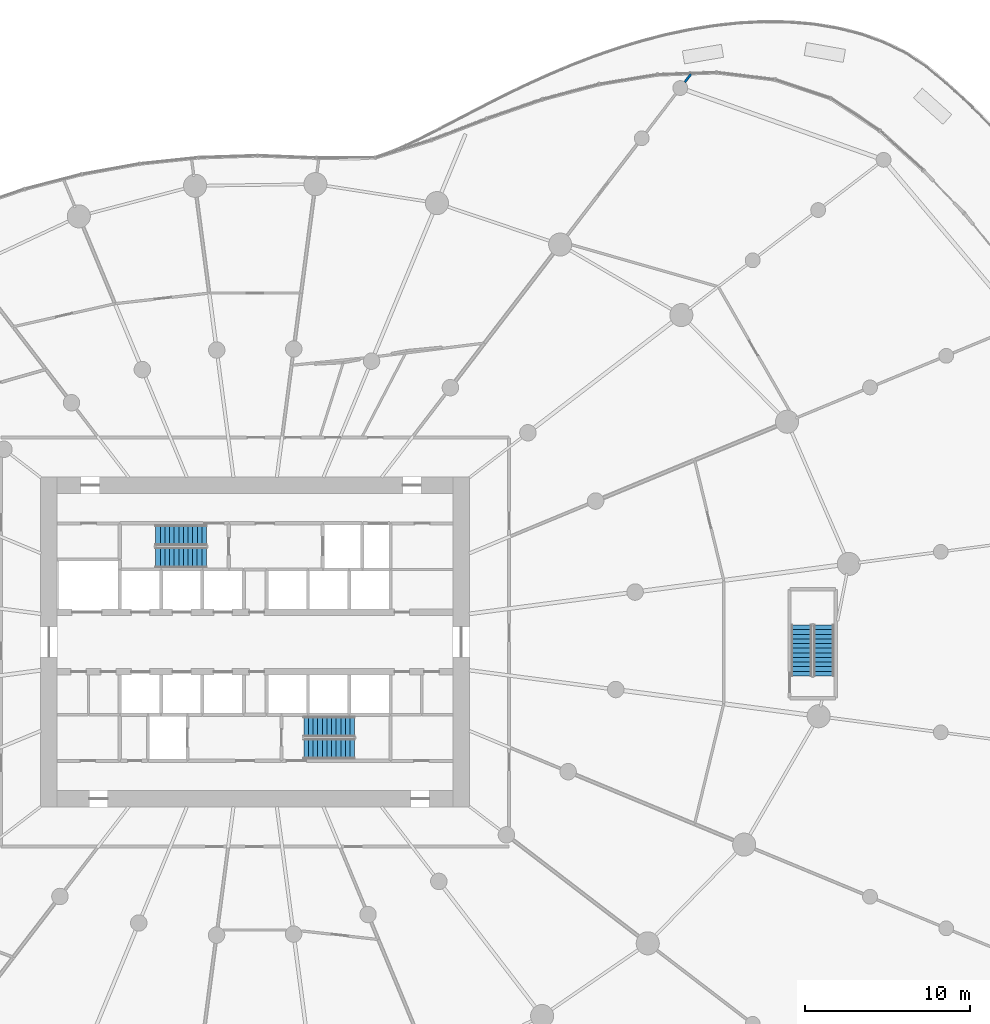
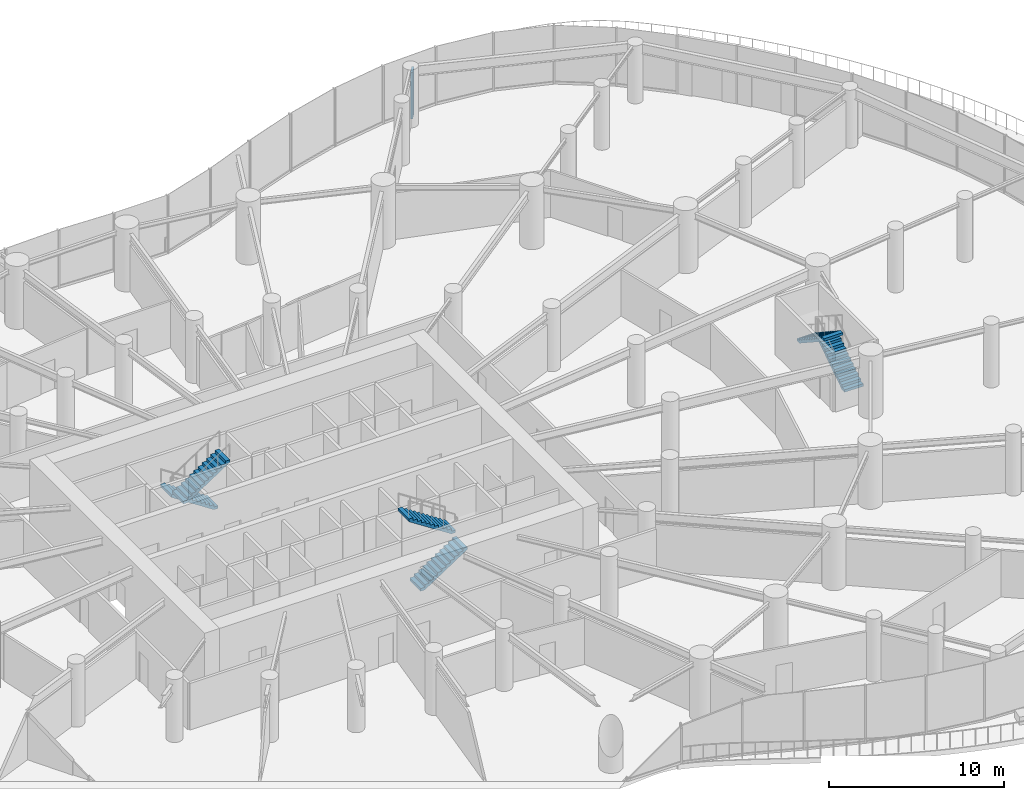
# One storey, part 19 of 24: 6 stair flights, 1 wall, 3 elements without a shape of their own.
"""IFC4 building model written with IfcOpenShell, lengths in metres."""

from ifc_helpers import new_model, si_unit, direction, frame, frame_2d, origin, place, context, subcontext, project, spatial, line, indexed_curve, rectangle, outline, extrude, material, layer, layer_set, type_object, element, aggregate, save


model = new_model("IFC4")

# Units and contexts
model_context = context("Model", 3, precision=1e-05, world=origin(), true_north=direction((0.0, 1.0)))
body_context = subcontext(model_context, "Body", "Model", "MODEL_VIEW")
ifc_project = project(units=[si_unit("LENGTHUNIT", "METRE"), si_unit("AREAUNIT", "SQUARE_METRE"), si_unit("VOLUMEUNIT", "CUBIC_METRE"), si_unit("PLANEANGLEUNIT", "RADIAN"), si_unit("MASSUNIT", "GRAM", prefix="KILO")], contexts=[model_context])

# Site, building, storey
site_placement = place(None, origin())
site = spatial("IfcSite", under=ifc_project, at=site_placement, CompositionType="ELEMENT")
building_placement = place(site_placement, origin())
building = spatial("IfcBuilding", under=site, at=building_placement, Name="Spindrift Exchange Tower", CompositionType="ELEMENT")
storey_placement = place(building_placement, frame((0.0, 0.0, 5.0)))
storey = spatial("IfcBuildingStorey", under=building, at=storey_placement, Name="L01", CompositionType="ELEMENT", Elevation=5.0)

# Wall
ifc_material_1 = material(Name="Fire-rated plasterboard partition", Category="gypsum")
ifc_layer = layer(ifc_material_1, 0.139892578125)
ifc_layer_set = layer_set([ifc_layer], Name="W-PLANT-140")
wall_type = type_object("IfcWallType", Name="W-PLANT-140", PredefinedType="PARTITIONING", material=ifc_layer_set)
wall_placement = place(storey_placement, frame((78.049560546875, 81.948486328125, 0.0), z_axis=(0.0, 0.0, 1.0), x_axis=(0.608753749501, 0.793359232926, 0.0)))
element("IfcWall", 1, at=wall_placement, inside=storey, type_object=wall_type, Name="L01 Partition wall 161", PredefinedType="PARTITIONING", context=body_context, shape_type="SweptSolid", body=[
    extrude(rectangle(XDim=0.6044921875, YDim=0.139892578125, at=frame_2d((0.30224609375, 0.0))), origin(), (0.0, 0.0, 1.0), 3.25),
])

# Stair, stair flights
ifc_material_2 = material(Name="Concrete 50 MPa", Category="concrete")
stair_type = type_object("IfcStairType", Name="ST-1250-R183", PredefinedType="HALF_TURN_STAIR", material=ifc_material_2)
stair_1_placement = place(storey_placement, origin())
stair_1 = element("IfcStair", 2, at=stair_1_placement, inside=storey, type_object=stair_type, Name="L01 Exit stair ST1", PredefinedType="HALF_TURN_STAIR")
stair_flight_type = type_object("IfcStairFlightType", Name="STF-1250-R183", PredefinedType="STRAIGHT", material=ifc_material_2)
stair_flight_1_placement = place(storey_placement, frame((49.050048828125, 54.47509765625, 0.0), z_axis=(0.0, 0.0, 1.0), x_axis=(-1.0, 0.0, 0.0)))
stair_flight_1 = element("IfcStairFlight", 3, at=stair_flight_1_placement, type_object=stair_flight_type, Name="ST1 flight 1", NumberOfRisers=12, NumberOfTreads=11, PredefinedType="STRAIGHT", RiserHeight=0.183333333, TreadLength=0.28, context=body_context, shape_type="SweptSolid", body=[
    extrude(outline(indexed_curve([(0.0, 0.0), (0.0, 0.18359375), (0.2802734375, 0.18359375), (0.2802734375, 0.3662109375), (0.5595703125, 0.3662109375), (0.5595703125, 0.5498046875), (0.83984375, 0.5498046875), (0.83984375, 0.7333984375), (1.1201171875, 0.7333984375), (1.1201171875, 0.9169921875), (1.400390625, 0.9169921875), (1.400390625, 1.099609375), (1.6796875, 1.099609375), (1.6796875, 1.283203125), (1.9599609375, 1.283203125), (1.9599609375, 1.466796875), (2.240234375, 1.466796875), (2.240234375, 1.650390625), (2.51953125, 1.650390625), (2.51953125, 1.8330078125), (2.7998046875, 1.8330078125), (2.7998046875, 2.0166015625), (3.080078125, 2.0166015625), (3.080078125, 2.2001953125), (3.080078125, 1.837890625), (0.2734375, 0.0)], segments=[line(1, 2, 3, 4, 5, 6, 7, 8, 9, 10, 11, 12, 13, 14, 15, 16, 17, 18, 19, 20, 21, 22, 23, 24, 25, 26, 1)], self_intersect=False)), frame((0.0, 0.625, 0.0), z_axis=(0.0, -1.0, 0.0), x_axis=(1.0, 0.0, 0.0)), (0.0, 0.0, 1.0), 1.25),
])
stair_flight_2_placement = place(storey_placement, frame((45.969970703125, 53.125, 2.199951171875), z_axis=(0.0, 0.0, 1.0), x_axis=(1.0, 0.0, 0.0)))
stair_flight_2 = element("IfcStairFlight", 4, at=stair_flight_2_placement, type_object=stair_flight_type, Name="ST1 flight 2", NumberOfRisers=12, NumberOfTreads=11, PredefinedType="STRAIGHT", RiserHeight=0.183333333, TreadLength=0.28, context=body_context, shape_type="SweptSolid", body=[
    extrude(outline(indexed_curve([(0.0, 0.0), (0.0, 0.18359375), (0.2802734375, 0.18359375), (0.2802734375, 0.3662109375), (0.5595703125, 0.3662109375), (0.5595703125, 0.5498046875), (0.83984375, 0.5498046875), (0.83984375, 0.7333984375), (1.1201171875, 0.7333984375), (1.1201171875, 0.9169921875), (1.400390625, 0.9169921875), (1.400390625, 1.099609375), (1.6796875, 1.099609375), (1.6796875, 1.283203125), (1.9599609375, 1.283203125), (1.9599609375, 1.466796875), (2.240234375, 1.466796875), (2.240234375, 1.650390625), (2.51953125, 1.650390625), (2.51953125, 1.8330078125), (2.7998046875, 1.8330078125), (2.7998046875, 2.0166015625), (3.080078125, 2.0166015625), (3.080078125, 2.2001953125), (3.080078125, 1.837890625), (0.2734375, 0.0)], segments=[line(1, 2, 3, 4, 5, 6, 7, 8, 9, 10, 11, 12, 13, 14, 15, 16, 17, 18, 19, 20, 21, 22, 23, 24, 25, 26, 1)], self_intersect=False)), frame((0.0, 0.625, 0.0), z_axis=(0.0, -1.0, 0.0), x_axis=(1.0, 0.0, 0.0)), (0.0, 0.0, 1.0), 1.25),
])
aggregate(stair_1, [stair_flight_1, stair_flight_2])

stair_2_placement = place(storey_placement, origin())
stair_2 = element("IfcStair", 5, at=stair_2_placement, inside=storey, type_object=stair_type, Name="L01 Exit stair ST2", PredefinedType="HALF_TURN_STAIR")
stair_flight_3_placement = place(storey_placement, frame((54.949951171875, 41.52490234375, 0.0), z_axis=(0.0, 0.0, 1.0), x_axis=(1.0, 0.0, 0.0)))
stair_flight_3 = element("IfcStairFlight", 6, at=stair_flight_3_placement, type_object=stair_flight_type, Name="ST2 flight 1", NumberOfRisers=12, NumberOfTreads=11, PredefinedType="STRAIGHT", RiserHeight=0.183333333, TreadLength=0.28, context=body_context, shape_type="SweptSolid", body=[
    extrude(outline(indexed_curve([(0.0, 0.0), (0.0, 0.18359375), (0.2802734375, 0.18359375), (0.2802734375, 0.3662109375), (0.5595703125, 0.3662109375), (0.5595703125, 0.5498046875), (0.83984375, 0.5498046875), (0.83984375, 0.7333984375), (1.1201171875, 0.7333984375), (1.1201171875, 0.9169921875), (1.400390625, 0.9169921875), (1.400390625, 1.099609375), (1.6796875, 1.099609375), (1.6796875, 1.283203125), (1.9599609375, 1.283203125), (1.9599609375, 1.466796875), (2.240234375, 1.466796875), (2.240234375, 1.650390625), (2.51953125, 1.650390625), (2.51953125, 1.8330078125), (2.7998046875, 1.8330078125), (2.7998046875, 2.0166015625), (3.080078125, 2.0166015625), (3.080078125, 2.2001953125), (3.080078125, 1.837890625), (0.2734375, 0.0)], segments=[line(1, 2, 3, 4, 5, 6, 7, 8, 9, 10, 11, 12, 13, 14, 15, 16, 17, 18, 19, 20, 21, 22, 23, 24, 25, 26, 1)], self_intersect=False)), frame((0.0, 0.625, 0.0), z_axis=(0.0, -1.0, 0.0), x_axis=(1.0, 0.0, 0.0)), (0.0, 0.0, 1.0), 1.25),
])
stair_flight_4_placement = place(storey_placement, frame((58.030029296875, 42.875, 2.199951171875), z_axis=(0.0, 0.0, 1.0), x_axis=(-1.0, 0.0, 0.0)))
stair_flight_4 = element("IfcStairFlight", 7, at=stair_flight_4_placement, type_object=stair_flight_type, Name="ST2 flight 2", NumberOfRisers=12, NumberOfTreads=11, PredefinedType="STRAIGHT", RiserHeight=0.183333333, TreadLength=0.28, context=body_context, shape_type="SweptSolid", body=[
    extrude(outline(indexed_curve([(0.0, 0.0), (0.0, 0.18359375), (0.2802734375, 0.18359375), (0.2802734375, 0.3662109375), (0.5595703125, 0.3662109375), (0.5595703125, 0.5498046875), (0.83984375, 0.5498046875), (0.83984375, 0.7333984375), (1.1201171875, 0.7333984375), (1.1201171875, 0.9169921875), (1.400390625, 0.9169921875), (1.400390625, 1.099609375), (1.6796875, 1.099609375), (1.6796875, 1.283203125), (1.9599609375, 1.283203125), (1.9599609375, 1.466796875), (2.240234375, 1.466796875), (2.240234375, 1.650390625), (2.51953125, 1.650390625), (2.51953125, 1.8330078125), (2.7998046875, 1.8330078125), (2.7998046875, 2.0166015625), (3.080078125, 2.0166015625), (3.080078125, 2.2001953125), (3.080078125, 1.837890625), (0.2734375, 0.0)], segments=[line(1, 2, 3, 4, 5, 6, 7, 8, 9, 10, 11, 12, 13, 14, 15, 16, 17, 18, 19, 20, 21, 22, 23, 24, 25, 26, 1)], self_intersect=False)), frame((0.0, 0.625, 0.0), z_axis=(0.0, -1.0, 0.0), x_axis=(1.0, 0.0, 0.0)), (0.0, 0.0, 1.0), 1.25),
])
aggregate(stair_2, [stair_flight_3, stair_flight_4])

stair_3_placement = place(storey_placement, origin())
stair_3 = element("IfcStair", 8, at=stair_3_placement, inside=storey, type_object=stair_type, Name="L01 Exit stair ST5", PredefinedType="HALF_TURN_STAIR")
stair_flight_5_placement = place(storey_placement, frame((86.47509765625, 45.949951171875, 0.0), z_axis=(0.0, 0.0, 1.0), x_axis=(0.0, 1.0, 0.0)))
stair_flight_5 = element("IfcStairFlight", 9, at=stair_flight_5_placement, type_object=stair_flight_type, Name="ST5 flight 1", NumberOfRisers=12, NumberOfTreads=11, PredefinedType="STRAIGHT", RiserHeight=0.183333333, TreadLength=0.28, context=body_context, shape_type="SweptSolid", body=[
    extrude(outline(indexed_curve([(0.0, 0.0), (0.0, 0.18359375), (0.2802734375, 0.18359375), (0.2802734375, 0.3662109375), (0.5595703125, 0.3662109375), (0.5595703125, 0.5498046875), (0.83984375, 0.5498046875), (0.83984375, 0.7333984375), (1.1201171875, 0.7333984375), (1.1201171875, 0.9169921875), (1.400390625, 0.9169921875), (1.400390625, 1.099609375), (1.6796875, 1.099609375), (1.6796875, 1.283203125), (1.9599609375, 1.283203125), (1.9599609375, 1.466796875), (2.240234375, 1.466796875), (2.240234375, 1.650390625), (2.51953125, 1.650390625), (2.51953125, 1.8330078125), (2.7998046875, 1.8330078125), (2.7998046875, 2.0166015625), (3.080078125, 2.0166015625), (3.080078125, 2.2001953125), (3.080078125, 1.837890625), (0.2734375, 0.0)], segments=[line(1, 2, 3, 4, 5, 6, 7, 8, 9, 10, 11, 12, 13, 14, 15, 16, 17, 18, 19, 20, 21, 22, 23, 24, 25, 26, 1)], self_intersect=False)), frame((0.0, 0.625, 0.0), z_axis=(0.0, -1.0, 0.0), x_axis=(1.0, 0.0, 0.0)), (0.0, 0.0, 1.0), 1.25),
])
stair_flight_6_placement = place(storey_placement, frame((85.125, 49.030029296875, 2.199951171875), z_axis=(0.0, 0.0, 1.0), x_axis=(0.0, -1.0, 0.0)))
stair_flight_6 = element("IfcStairFlight", 10, at=stair_flight_6_placement, type_object=stair_flight_type, Name="ST5 flight 2", NumberOfRisers=12, NumberOfTreads=11, PredefinedType="STRAIGHT", RiserHeight=0.183333333, TreadLength=0.28, context=body_context, shape_type="SweptSolid", body=[
    extrude(outline(indexed_curve([(0.0, 0.0), (0.0, 0.18359375), (0.2802734375, 0.18359375), (0.2802734375, 0.3662109375), (0.5595703125, 0.3662109375), (0.5595703125, 0.5498046875), (0.83984375, 0.5498046875), (0.83984375, 0.7333984375), (1.1201171875, 0.7333984375), (1.1201171875, 0.9169921875), (1.400390625, 0.9169921875), (1.400390625, 1.099609375), (1.6796875, 1.099609375), (1.6796875, 1.283203125), (1.9599609375, 1.283203125), (1.9599609375, 1.466796875), (2.240234375, 1.466796875), (2.240234375, 1.650390625), (2.51953125, 1.650390625), (2.51953125, 1.8330078125), (2.7998046875, 1.8330078125), (2.7998046875, 2.0166015625), (3.080078125, 2.0166015625), (3.080078125, 2.2001953125), (3.080078125, 1.837890625), (0.2734375, 0.0)], segments=[line(1, 2, 3, 4, 5, 6, 7, 8, 9, 10, 11, 12, 13, 14, 15, 16, 17, 18, 19, 20, 21, 22, 23, 24, 25, 26, 1)], self_intersect=False)), frame((0.0, 0.625, 0.0), z_axis=(0.0, -1.0, 0.0), x_axis=(1.0, 0.0, 0.0)), (0.0, 0.0, 1.0), 1.25),
])
aggregate(stair_3, [stair_flight_5, stair_flight_6])

save(model, "model.ifc")
